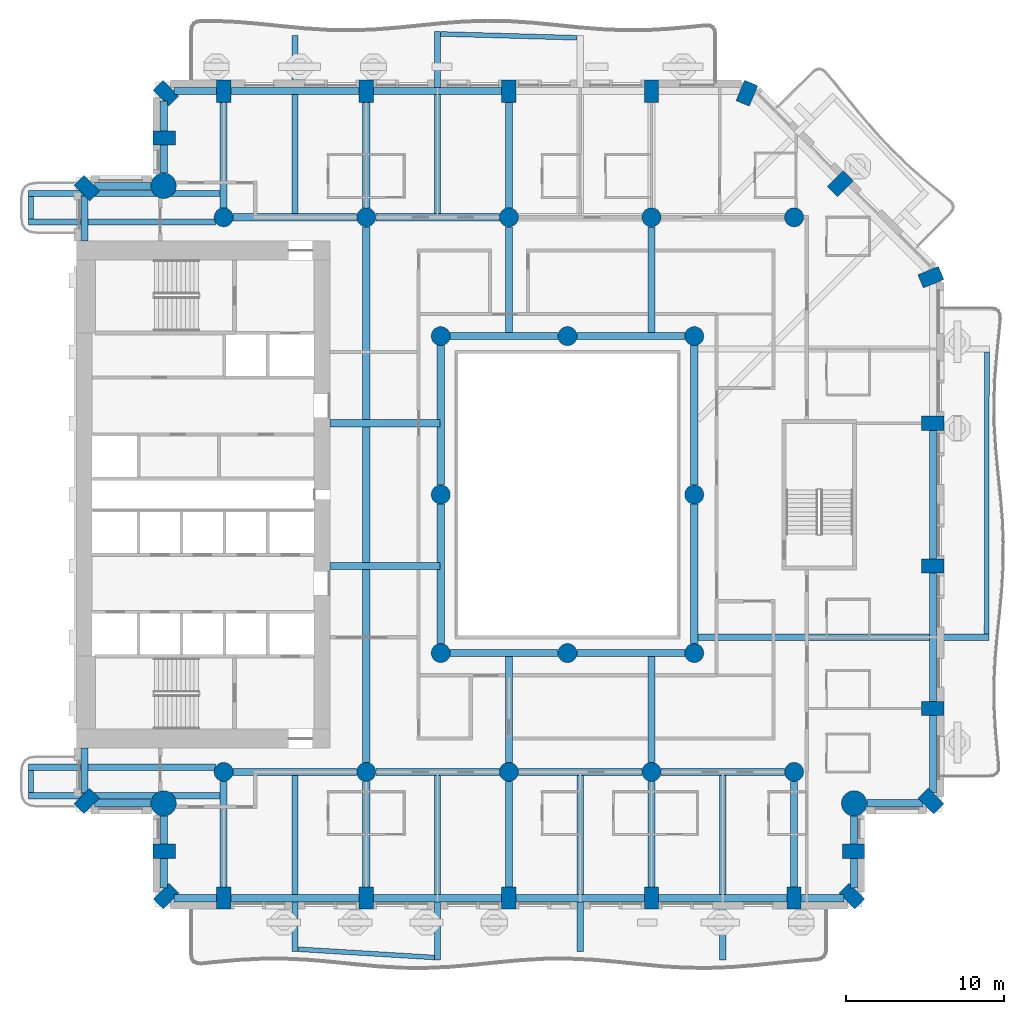
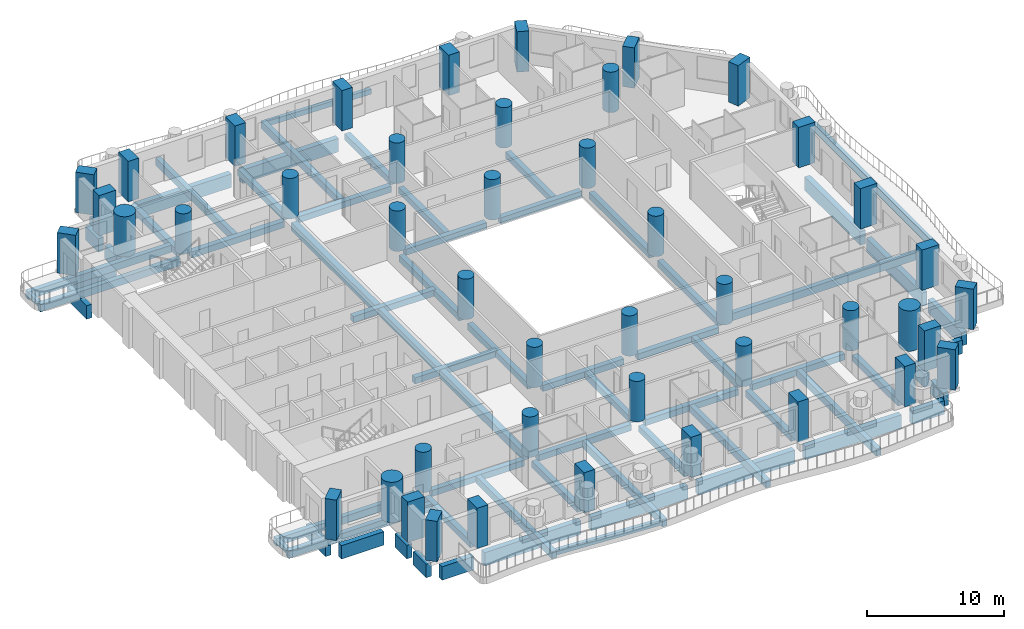
# One storey, part 1 of 20: 70 beams, 45 columns.
"""IFC4 building model written with IfcOpenShell, lengths in metres."""

from ifc_helpers import new_model, si_unit, direction, frame, origin, origin_2d, place, context, subcontext, project, spatial, rectangle, circle, extrude, material, material_profile, profile_set, type_object, element, save


model = new_model("IFC4")

# Units and contexts
model_context = context("Model", 3, precision=1e-05, world=origin(), true_north=direction((0.0, 1.0)))
body_context = subcontext(model_context, "Body", "Model", "MODEL_VIEW")
ifc_project = project(units=[si_unit("LENGTHUNIT", "METRE"), si_unit("AREAUNIT", "SQUARE_METRE"), si_unit("VOLUMEUNIT", "CUBIC_METRE"), si_unit("PLANEANGLEUNIT", "RADIAN"), si_unit("MASSUNIT", "GRAM", prefix="KILO")], contexts=[model_context])

# Site, building, storey
site_placement = place(None, origin())
site = spatial("IfcSite", under=ifc_project, at=site_placement, CompositionType="ELEMENT")
building_placement = place(site_placement, origin())
building = spatial("IfcBuilding", under=site, at=building_placement, Name="Cypress Arch Tower", CompositionType="ELEMENT")
storey_placement = place(building_placement, frame((0.0, 0.0, 59.10009765625)))
storey = spatial("IfcBuildingStorey", under=building, at=storey_placement, Name="L08", CompositionType="ELEMENT", Elevation=59.10009765625)

# Columns
ifc_material_1 = material(Name="Concrete C80/95", Category="concrete")
ifc_material_profile_1 = material_profile(ifc_material_1, rectangle(XDim=0.89990234375, YDim=1.39990234375, at=origin_2d()), Name="RC 900x1400")
ifc_profile_set_1 = profile_set([ifc_material_profile_1], Name="Concrete C80/95")
column_type_1 = type_object("IfcColumnType", Name="Column RC 900x1400 Concrete C80/95", PredefinedType="COLUMN", material=ifc_profile_set_1)
for number, where, z_axis, x_axis, name in (
    (1, (-29.3369140625, 19.3369140625, 0.0), (0.0, 0.0, 1.0), (-0.707106781187, -0.707106781187, 0.0), "Column L08 CA00"),
    (2, (-29.3369140625, -19.3369140625, 0.0), (0.0, 0.0, 1.0), (0.707106781187, -0.707106781187, 0.0), "Column L08 CA01"),
    (3, (-24.449951171875, -22.5, 0.0), (0.0, 0.0, 1.0), (0.0, -1.0, 0.0), "Column L08 CA03"),
    (4, (-24.3369140625, -25.3369140625, 0.0), (0.0, 0.0, 1.0), (0.707106781187, -0.707106781187, 0.0), "Column L08 CA04"),
    (5, (-20.699951171875, -25.449951171875, 0.0), (0.0, 0.0, 1.0), (1.0, 0.0, 0.0), "Column L08 CA05"),
    (6, (-11.699951171875, -25.449951171875, 0.0), (0.0, 0.0, 1.0), (1.0, 0.0, 0.0), "Column L08 CA06"),
    (7, (-2.699951171875, -25.449951171875, 0.0), (0.0, 0.0, 1.0), (1.0, 0.0, 0.0), "Column L08 CA07"),
    (8, (6.300048828125, -25.449951171875, 0.0), (0.0, 0.0, 1.0), (1.0, 0.0, 0.0), "Column L08 CA08"),
    (9, (15.300048828125, -25.449951171875, 0.0), (0.0, 0.0, 1.0), (1.0, 0.0, 0.0), "Column L08 CA09"),
    (10, (18.936767578125, -25.3369140625, 0.0), (0.0, 0.0, 1.0), (0.707106781187, 0.707106781187, 0.0), "Column L08 CA10"),
    (11, (19.050048828125, -22.5, 0.0), (0.0, 0.0, 1.0), (0.0, 1.0, 0.0), "Column L08 CA11"),
    (12, (23.936767578125, -19.3369140625, 0.0), (0.0, 0.0, 1.0), (0.707106781187, 0.707106781187, 0.0), "Column L08 CA13"),
    (13, (24.050048828125, -13.5, 0.0), (0.0, 0.0, 1.0), (0.0, 1.0, 0.0), "Column L08 CA14"),
    (14, (24.050048828125, -4.5, 0.0), (0.0, 0.0, 1.0), (0.0, 1.0, 0.0), "Column L08 CA15"),
    (15, (24.050048828125, 4.5, 0.0), (0.0, 0.0, 1.0), (0.0, 1.0, 0.0), "Column L08 CA16"),
    (16, (23.93115234375, 13.722900390625, 0.0), (0.0, 0.0, 1.0), (-0.382683496864, 0.923879505795, 0.0), "Column L08 CA17"),
    (17, (18.211181640625, 19.611083984375, 0.0), (0.0, 0.0, 1.0), (-0.707106781187, 0.707106781187, 0.0), "Column L08 CA18"),
    (18, (12.322998046875, 25.3310546875, 0.0), (0.0, 0.0, 1.0), (-0.923879505795, 0.382683496864, 0.0), "Column L08 CA19"),
    (19, (6.300048828125, 25.449951171875, 0.0), (0.0, 0.0, 1.0), (-1.0, 0.0, 0.0), "Column L08 CA20"),
    (20, (-2.699951171875, 25.449951171875, 0.0), (0.0, 0.0, 1.0), (-1.0, 0.0, 0.0), "Column L08 CA21"),
    (21, (-11.699951171875, 25.449951171875, 0.0), (0.0, 0.0, 1.0), (-1.0, 0.0, 0.0), "Column L08 CA22"),
    (22, (-20.699951171875, 25.449951171875, 0.0), (0.0, 0.0, 1.0), (-1.0, 0.0, 0.0), "Column L08 CA23"),
    (23, (-24.3369140625, 25.3369140625, 0.0), (0.0, 0.0, 1.0), (-0.707106781187, -0.707106781187, 0.0), "Column L08 CA24"),
    (24, (-24.449951171875, 22.5, 0.0), (0.0, 0.0, 1.0), (0.0, -1.0, 0.0), "Column L08 CA25"),
):
    element("IfcColumn", number, at=place(storey_placement, frame(where, z_axis=z_axis, x_axis=x_axis)), inside=storey, type_object=column_type_1, Name=name, PredefinedType="COLUMN", context=body_context, shape_type="SweptSolid", body=[
        extrude(rectangle(XDim=0.89990234375, YDim=1.39990234375, at=origin_2d()), origin(), (0.0, 0.0, 1.0), 3.599853515625),
    ])
ifc_material_2 = material(Name="Concrete C80/95", Category="concrete")
ifc_material_profile_2 = material_profile(ifc_material_2, circle(Radius=0.60009765625, at=origin_2d()), Name="RC D1200")
ifc_profile_set_2 = profile_set([ifc_material_profile_2], Name="Concrete C80/95")
column_type_2 = type_object("IfcColumnType", Name="Column RC D1200 Concrete C80/95", PredefinedType="COLUMN", material=ifc_profile_set_2)
for number, where, z_axis, x_axis, name in (
    (25, (-20.699951171875, -17.5, 0.0), (0.0, 0.0, 1.0), (1.0, 0.0, 0.0), "Column L08 CIC-L08-CI3S"),
    (26, (-11.699951171875, -17.5, 0.0), (0.0, 0.0, 1.0), (1.0, 0.0, 0.0), "Column L08 CIC-L08-CI4S"),
    (27, (-2.699951171875, -17.5, 0.0), (0.0, 0.0, 1.0), (1.0, 0.0, 0.0), "Column L08 CIC-L08-CI5S"),
    (28, (6.300048828125, -17.5, 0.0), (0.0, 0.0, 1.0), (1.0, 0.0, 0.0), "Column L08 CIC-L08-CI6S"),
    (29, (15.300048828125, -17.5, 0.0), (0.0, 0.0, 1.0), (1.0, 0.0, 0.0), "Column L08 CIC-L08-CI7S"),
    (30, (-20.699951171875, 17.5, 0.0), (0.0, 0.0, 1.0), (1.0, 0.0, 0.0), "Column L08 CIC-L08-CI3N"),
    (31, (-11.699951171875, 17.5, 0.0), (0.0, 0.0, 1.0), (1.0, 0.0, 0.0), "Column L08 CIC-L08-CI4N"),
    (32, (-2.699951171875, 17.5, 0.0), (0.0, 0.0, 1.0), (1.0, 0.0, 0.0), "Column L08 CIC-L08-CI5N"),
    (33, (6.300048828125, 17.5, 0.0), (0.0, 0.0, 1.0), (1.0, 0.0, 0.0), "Column L08 CIC-L08-CI6N"),
    (34, (15.300048828125, 17.5, 0.0), (0.0, 0.0, 1.0), (1.0, 0.0, 0.0), "Column L08 CIC-L08-CI7N"),
    (35, (-7.0, -10.0, 0.0), (0.0, 0.0, 1.0), (1.0, 0.0, 0.0), "Column L08 RNG-L08-G-7-10"),
    (36, (-7.0, 0.0, 0.0), (0.0, 0.0, 1.0), (1.0, 0.0, 0.0), "Column L08 RNG-L08-G-7+0"),
    (37, (-7.0, 10.0, 0.0), (0.0, 0.0, 1.0), (1.0, 0.0, 0.0), "Column L08 RNG-L08-G-7+10"),
    (38, (1.0, -10.0, 0.0), (0.0, 0.0, 1.0), (1.0, 0.0, 0.0), "Column L08 RNG-L08-G+1-10"),
    (39, (1.0, 10.0, 0.0), (0.0, 0.0, 1.0), (1.0, 0.0, 0.0), "Column L08 RNG-L08-G+1+10"),
    (40, (9.0, -10.0, 0.0), (0.0, 0.0, 1.0), (1.0, 0.0, 0.0), "Column L08 RNG-L08-G+9-10"),
    (41, (9.0, 0.0, 0.0), (0.0, 0.0, 1.0), (1.0, 0.0, 0.0), "Column L08 RNG-L08-G+9+0"),
    (42, (9.0, 10.0, 0.0), (0.0, 0.0, 1.0), (1.0, 0.0, 0.0), "Column L08 RNG-L08-G+9+10"),
):
    element("IfcColumn", number, at=place(storey_placement, frame(where, z_axis=z_axis, x_axis=x_axis)), inside=storey, type_object=column_type_2, Name=name, PredefinedType="COLUMN", context=body_context, shape_type="SweptSolid", body=[
        extrude(circle(Radius=0.60009765625, at=origin_2d()), origin(), (0.0, 0.0, 1.0), 3.599853515625),
    ])
ifc_material_3 = material(Name="Concrete C80/95", Category="concrete")
ifc_material_profile_3 = material_profile(ifc_material_3, circle(Radius=0.800048828125, at=origin_2d()), Name="RC D1600")
ifc_profile_set_3 = profile_set([ifc_material_profile_3], Name="Concrete C80/95")
column_type_3 = type_object("IfcColumnType", Name="Mega-column RC D1600 Concrete C80/95", PredefinedType="COLUMN", material=ifc_profile_set_3)
for number, where, z_axis, x_axis, name in (
    (43, (-24.48779296875, -19.48779296875, 0.0), (0.0, 0.0, 1.0), (1.0, 0.0, 0.0), "Column L08 CA02"),
    (44, (19.087890625, -19.48779296875, 0.0), (0.0, 0.0, 1.0), (1.0, 0.0, 0.0), "Column L08 CA12"),
    (45, (-24.48779296875, 19.48779296875, 0.0), (0.0, 0.0, 1.0), (1.0, 0.0, 0.0), "Column L08 CA26"),
):
    element("IfcColumn", number, at=place(storey_placement, frame(where, z_axis=z_axis, x_axis=x_axis)), inside=storey, type_object=column_type_3, Name=name, PredefinedType="COLUMN", context=body_context, shape_type="SweptSolid", body=[
        extrude(circle(Radius=0.800048828125, at=origin_2d()), origin(), (0.0, 0.0, 1.0), 3.599853515625),
    ])

# Beams
ifc_material_4 = material(Name="Concrete C50/60", Category="concrete")
ifc_material_profile_4 = material_profile(ifc_material_4, rectangle(XDim=0.300048828125, YDim=0.449951171875, at=origin_2d()), Name="RC 300x450")
ifc_profile_set_4 = profile_set([ifc_material_profile_4], Name="Concrete C50/60")
beam_type_1 = type_object("IfcBeamType", Name="Balcony edge beam RC 300x450 Concrete C50/60", PredefinedType="BEAM", material=ifc_profile_set_4)
beam_1_placement = place(storey_placement, frame((-16.0, -28.68896484375, -0.525146484375), z_axis=(0.998164917235, -0.060554091527, 0.0), x_axis=(0.060554091527, 0.998164917235, 0.0)))
element("IfcBeam", 46, at=beam_1_placement, inside=storey, type_object=beam_type_1, Name="Balcony edge beam L08 A03", PredefinedType="BEAM", context=body_context, shape_type="SweptSolid", body=[
    extrude(rectangle(XDim=0.300048828125, YDim=0.449951171875, at=origin_2d()), origin(), (0.0, 0.0, 1.0), 8.615966796875),
])
beam_2_placement = place(storey_placement, frame((1.60009765625, 28.8291015625, -0.525146484375), z_axis=(-0.999607696641, 0.02800808484, 0.0), x_axis=(-0.02800808484, -0.999607696641, 0.0)))
element("IfcBeam", 47, at=beam_2_placement, inside=storey, type_object=beam_type_1, Name="Balcony edge beam L08 A08", PredefinedType="BEAM", context=body_context, shape_type="SweptSolid", body=[
    extrude(rectangle(XDim=0.300048828125, YDim=0.449951171875, at=origin_2d()), origin(), (0.0, 0.0, 1.0), 8.603515625),
])
ifc_material_5 = material(Name="Concrete C50/60", Category="concrete")
ifc_material_profile_5 = material_profile(ifc_material_5, rectangle(XDim=0.300048828125, YDim=0.64990234375, at=origin_2d()), Name="RC 300x650")
ifc_profile_set_5 = profile_set([ifc_material_profile_5], Name="Concrete C50/60")
beam_type_2 = type_object("IfcBeamType", Name="Balcony edge beam RC 300x650 Concrete C50/60", PredefinedType="BEAM", material=ifc_profile_set_5)
beam_3_placement = place(storey_placement, frame((27.448486328125, -8.800048828125, -0.625), z_axis=(0.001070560333, 0.99999942695, 0.0), x_axis=(-0.99999942695, 0.001070560333, 0.0)))
element("IfcBeam", 48, at=beam_3_placement, inside=storey, type_object=beam_type_2, Name="Balcony edge beam L08 A06", PredefinedType="BEAM", context=body_context, shape_type="SweptSolid", body=[
    extrude(rectangle(XDim=0.300048828125, YDim=0.64990234375, at=origin_2d()), origin(), (0.0, 0.0, 1.0), 17.787841796875),
])
ifc_material_6 = material(Name="Concrete C50/60", Category="concrete")
ifc_material_profile_6 = material_profile(ifc_material_6, rectangle(XDim=0.300048828125, YDim=0.39990234375, at=origin_2d()), Name="RC 300x400")
ifc_profile_set_6 = profile_set([ifc_material_profile_6], Name="Concrete C50/60")
beam_type_3 = type_object("IfcBeamType", Name="Balcony stub beam RC 300x400 Concrete C50/60", PredefinedType="BEAM", material=ifc_profile_set_6)
for number, where, z_axis, x_axis, name in (
    (49, (-32.85009765625, 18.800048828125, -0.5), (0.0, -1.0, 0.0), (1.0, 0.0, 0.0), "Balcony stub beam L08 A00W0"),
    (50, (-32.85009765625, -17.39990234375, -0.5), (0.0, -1.0, 0.0), (1.0, 0.0, 0.0), "Balcony stub beam L08 A00W1"),
):
    element("IfcBeam", number, at=place(storey_placement, frame(where, z_axis=z_axis, x_axis=x_axis)), inside=storey, type_object=beam_type_3, Name=name, PredefinedType="BEAM", context=body_context, shape_type="SweptSolid", body=[
        extrude(rectangle(XDim=0.300048828125, YDim=0.39990234375, at=origin_2d()), origin(), (0.0, 0.0, 1.0), 1.400146484375),
    ])
ifc_material_7 = material(Name="Concrete C50/60", Category="concrete")
ifc_material_profile_7 = material_profile(ifc_material_7, rectangle(XDim=0.39990234375, YDim=0.64990234375, at=origin_2d()), Name="RC 400x650")
ifc_profile_set_7 = profile_set([ifc_material_profile_7], Name="Concrete C50/60")
beam_type_4 = type_object("IfcBeamType", Name="Cantilever beam RC 400x650 Concrete C50/60", PredefinedType="BEAM", material=ifc_profile_set_7)
beam_4_placement = place(storey_placement, frame((-20.925048828125, 19.0, -0.625), z_axis=(-1.0, 0.0, 0.0), x_axis=(0.0, -1.0, 0.0)))
element("IfcBeam", 51, at=beam_4_placement, inside=storey, type_object=beam_type_4, Name="Cantilever beam L08 A00 1", PredefinedType="BEAM", context=body_context, shape_type="SweptSolid", body=[
    extrude(rectangle(XDim=0.39990234375, YDim=0.64990234375, at=origin_2d()), origin(), (0.0, 0.0, 1.0), 12.074951171875),
])
for number, where, z_axis, x_axis, name in (
    (52, (-21.219482421875, 17.199951171875, -0.625), (-1.0, 0.0, 0.0), (0.0, -1.0, 0.0), "Cantilever beam L08 A00 2"),
    (53, (-21.219482421875, -17.199951171875, -0.625), (-1.0, 0.0, 0.0), (0.0, -1.0, 0.0), "Cantilever beam L08 A00 1"),
):
    element("IfcBeam", number, at=place(storey_placement, frame(where, z_axis=z_axis, x_axis=x_axis)), inside=storey, type_object=beam_type_4, Name=name, PredefinedType="BEAM", context=body_context, shape_type="SweptSolid", body=[
        extrude(rectangle(XDim=0.39990234375, YDim=0.64990234375, at=origin_2d()), origin(), (0.0, 0.0, 1.0), 11.780517578125),
    ])
beam_5_placement = place(storey_placement, frame((-20.925048828125, -19.0, -0.625), z_axis=(-1.0, 0.0, 0.0), x_axis=(0.0, -1.0, 0.0)))
element("IfcBeam", 54, at=beam_5_placement, inside=storey, type_object=beam_type_4, Name="Cantilever beam L08 A00 2", PredefinedType="BEAM", context=body_context, shape_type="SweptSolid", body=[
    extrude(rectangle(XDim=0.39990234375, YDim=0.64990234375, at=origin_2d()), origin(), (0.0, 0.0, 1.0), 12.074951171875),
])
beam_6_placement = place(storey_placement, frame((-16.199951171875, -17.72509765625, -0.625), z_axis=(0.0, -1.0, 0.0), x_axis=(1.0, 0.0, 0.0)))
element("IfcBeam", 55, at=beam_6_placement, inside=storey, type_object=beam_type_4, Name="Cantilever beam L08 A03 1", PredefinedType="BEAM", context=body_context, shape_type="SweptSolid", body=[
    extrude(rectangle(XDim=0.39990234375, YDim=0.64990234375, at=origin_2d()), origin(), (0.0, 0.0, 1.0), 11.11376953125),
])
beam_7_placement = place(storey_placement, frame((-7.199951171875, -17.72509765625, -0.625), z_axis=(0.0, -1.0, 0.0), x_axis=(1.0, 0.0, 0.0)))
element("IfcBeam", 56, at=beam_7_placement, inside=storey, type_object=beam_type_4, Name="Cantilever beam L08 A03 2", PredefinedType="BEAM", context=body_context, shape_type="SweptSolid", body=[
    extrude(rectangle(XDim=0.39990234375, YDim=0.64990234375, at=origin_2d()), origin(), (0.0, 0.0, 1.0), 11.635498046875),
])
beam_8_placement = place(storey_placement, frame((1.800048828125, -17.72509765625, -0.625), z_axis=(0.0, -1.0, 0.0), x_axis=(1.0, 0.0, 0.0)))
element("IfcBeam", 57, at=beam_8_placement, inside=storey, type_object=beam_type_4, Name="Cantilever beam L08 A03 3", PredefinedType="BEAM", context=body_context, shape_type="SweptSolid", body=[
    extrude(rectangle(XDim=0.39990234375, YDim=0.64990234375, at=origin_2d()), origin(), (0.0, 0.0, 1.0), 11.1142578125),
])
beam_9_placement = place(storey_placement, frame((10.800048828125, -17.72509765625, -0.625), z_axis=(0.0, -1.0, 0.0), x_axis=(1.0, 0.0, 0.0)))
element("IfcBeam", 58, at=beam_9_placement, inside=storey, type_object=beam_type_4, Name="Cantilever beam L08 A03 4", PredefinedType="BEAM", context=body_context, shape_type="SweptSolid", body=[
    extrude(rectangle(XDim=0.39990234375, YDim=0.64990234375, at=origin_2d()), origin(), (0.0, 0.0, 1.0), 11.6357421875),
])
beam_10_placement = place(storey_placement, frame((9.22509765625, -9.0, -0.625), z_axis=(1.0, 0.0, 0.0), x_axis=(0.0, 1.0, 0.0)))
element("IfcBeam", 59, at=beam_10_placement, inside=storey, type_object=beam_type_4, Name="Cantilever beam L08 A06 1", PredefinedType="BEAM", context=body_context, shape_type="SweptSolid", body=[
    extrude(rectangle(XDim=0.39990234375, YDim=0.64990234375, at=origin_2d()), origin(), (0.0, 0.0, 1.0), 18.37353515625),
])
beam_11_placement = place(storey_placement, frame((-7.199951171875, 17.72509765625, -0.625), z_axis=(0.0, 1.0, 0.0), x_axis=(-1.0, 0.0, 0.0)))
element("IfcBeam", 60, at=beam_11_placement, inside=storey, type_object=beam_type_4, Name="Cantilever beam L08 A08 2", PredefinedType="BEAM", context=body_context, shape_type="SweptSolid", body=[
    extrude(rectangle(XDim=0.39990234375, YDim=0.64990234375, at=origin_2d()), origin(), (0.0, 0.0, 1.0), 11.4951171875),
])
beam_12_placement = place(storey_placement, frame((-16.199951171875, 17.72509765625, -0.625), z_axis=(0.0, 1.0, 0.0), x_axis=(-1.0, 0.0, 0.0)))
element("IfcBeam", 61, at=beam_12_placement, inside=storey, type_object=beam_type_4, Name="Cantilever beam L08 A08 3", PredefinedType="BEAM", context=body_context, shape_type="SweptSolid", body=[
    extrude(rectangle(XDim=0.39990234375, YDim=0.64990234375, at=origin_2d()), origin(), (0.0, 0.0, 1.0), 11.256591796875),
])
ifc_material_8 = material(Name="Concrete C50/60", Category="concrete")
ifc_material_profile_8 = material_profile(ifc_material_8, rectangle(XDim=0.449951171875, YDim=0.550048828125, at=origin_2d()), Name="RC 450x550")
ifc_profile_set_8 = profile_set([ifc_material_profile_8], Name="Concrete C50/60")
beam_type_5 = type_object("IfcBeamType", Name="Floor beam RC 450x550 Concrete C50/60", PredefinedType="BEAM", material=ifc_profile_set_8)
for number, where, z_axis, x_axis, name in (
    (62, (-7.0, -9.39990234375, -0.5751953125), (0.0, 1.0, 0.0), (-1.0, 0.0, 0.0), "Floor beam L08 RB001"),
    (63, (-7.0, 0.60009765625, -0.5751953125), (0.0, 1.0, 0.0), (-1.0, 0.0, 0.0), "Floor beam L08 RB002"),
    (64, (9.0, -9.39990234375, -0.5751953125), (0.0, 1.0, 0.0), (-1.0, 0.0, 0.0), "Floor beam L08 RB003"),
    (65, (9.0, 0.60009765625, -0.5751953125), (0.0, 1.0, 0.0), (-1.0, 0.0, 0.0), "Floor beam L08 RB004"),
):
    element("IfcBeam", number, at=place(storey_placement, frame(where, z_axis=z_axis, x_axis=x_axis)), inside=storey, type_object=beam_type_5, Name=name, PredefinedType="BEAM", context=body_context, shape_type="SweptSolid", body=[
        extrude(rectangle(XDim=0.449951171875, YDim=0.550048828125, at=origin_2d()), origin(), (0.0, 0.0, 1.0), 8.7998046875),
    ])
for number, where, z_axis, x_axis, name in (
    (66, (-6.39990234375, -10.0, -0.5751953125), (1.0, 0.0, 0.0), (0.0, 1.0, 0.0), "Floor beam L08 RB005"),
    (67, (1.60009765625, -10.0, -0.5751953125), (1.0, 0.0, 0.0), (0.0, 1.0, 0.0), "Floor beam L08 RB006"),
    (68, (-6.39990234375, 10.0, -0.5751953125), (1.0, 0.0, 0.0), (0.0, 1.0, 0.0), "Floor beam L08 RB007"),
    (69, (1.60009765625, 10.0, -0.5751953125), (1.0, 0.0, 0.0), (0.0, 1.0, 0.0), "Floor beam L08 RB008"),
):
    element("IfcBeam", number, at=place(storey_placement, frame(where, z_axis=z_axis, x_axis=x_axis)), inside=storey, type_object=beam_type_5, Name=name, PredefinedType="BEAM", context=body_context, shape_type="SweptSolid", body=[
        extrude(rectangle(XDim=0.449951171875, YDim=0.550048828125, at=origin_2d()), origin(), (0.0, 0.0, 1.0), 6.7998046875),
    ])
for number, where, z_axis, x_axis, name in (
    (70, (-20.10009765625, -17.5, -0.5751953125), (1.0, 0.0, 0.0), (0.0, 1.0, 0.0), "Floor beam L08 FB009"),
    (71, (-11.10009765625, -17.5, -0.5751953125), (1.0, 0.0, 0.0), (0.0, 1.0, 0.0), "Floor beam L08 FB010"),
    (72, (-2.10009765625, -17.5, -0.5751953125), (1.0, 0.0, 0.0), (0.0, 1.0, 0.0), "Floor beam L08 FB011"),
    (73, (6.89990234375, -17.5, -0.5751953125), (1.0, 0.0, 0.0), (0.0, 1.0, 0.0), "Floor beam L08 FB012"),
):
    element("IfcBeam", number, at=place(storey_placement, frame(where, z_axis=z_axis, x_axis=x_axis)), inside=storey, type_object=beam_type_5, Name=name, PredefinedType="BEAM", context=body_context, shape_type="SweptSolid", body=[
        extrude(rectangle(XDim=0.449951171875, YDim=0.550048828125, at=origin_2d()), origin(), (0.0, 0.0, 1.0), 7.800048828125),
    ])
for number, where, z_axis, x_axis, name in (
    (74, (-14.0, -4.5, -0.5751953125), (1.0, 0.0, 0.0), (0.0, 1.0, 0.0), "Floor beam L08 FB013"),
    (75, (-14.0, 4.5, -0.5751953125), (1.0, 0.0, 0.0), (0.0, 1.0, 0.0), "Floor beam L08 FB014"),
):
    element("IfcBeam", number, at=place(storey_placement, frame(where, z_axis=z_axis, x_axis=x_axis)), inside=storey, type_object=beam_type_5, Name=name, PredefinedType="BEAM", context=body_context, shape_type="SweptSolid", body=[
        extrude(rectangle(XDim=0.449951171875, YDim=0.550048828125, at=origin_2d()), origin(), (0.0, 0.0, 1.0), 6.949951171875),
    ])
for number, where, z_axis, x_axis, name in (
    (76, (-20.10009765625, 17.5, -0.5751953125), (1.0, 0.0, 0.0), (0.0, 1.0, 0.0), "Floor beam L08 FB015"),
    (77, (-11.10009765625, 17.5, -0.5751953125), (1.0, 0.0, 0.0), (0.0, 1.0, 0.0), "Floor beam L08 FB016"),
):
    element("IfcBeam", number, at=place(storey_placement, frame(where, z_axis=z_axis, x_axis=x_axis)), inside=storey, type_object=beam_type_5, Name=name, PredefinedType="BEAM", context=body_context, shape_type="SweptSolid", body=[
        extrude(rectangle(XDim=0.449951171875, YDim=0.550048828125, at=origin_2d()), origin(), (0.0, 0.0, 1.0), 7.800048828125),
    ])
for number, where, z_axis, x_axis, name in (
    (78, (-20.699951171875, -24.75, -0.5751953125), (0.0, 1.0, 0.0), (-1.0, 0.0, 0.0), "Floor beam L08 FB019"),
    (79, (-20.699951171875, 18.10009765625, -0.5751953125), (0.0, 1.0, 0.0), (-1.0, 0.0, 0.0), "Floor beam L08 FB020"),
    (80, (-11.699951171875, -24.75, -0.5751953125), (0.0, 1.0, 0.0), (-1.0, 0.0, 0.0), "Floor beam L08 FB021"),
):
    element("IfcBeam", number, at=place(storey_placement, frame(where, z_axis=z_axis, x_axis=x_axis)), inside=storey, type_object=beam_type_5, Name=name, PredefinedType="BEAM", context=body_context, shape_type="SweptSolid", body=[
        extrude(rectangle(XDim=0.449951171875, YDim=0.550048828125, at=origin_2d()), origin(), (0.0, 0.0, 1.0), 6.64990234375),
    ])
beam_13_placement = place(storey_placement, frame((-11.699951171875, -4.27490234375, -0.5751953125), z_axis=(0.0, 1.0, 0.0), x_axis=(-1.0, 0.0, 0.0)))
element("IfcBeam", 81, at=beam_13_placement, inside=storey, type_object=beam_type_5, Name="Floor beam L08 FB023", PredefinedType="BEAM", context=body_context, shape_type="SweptSolid", body=[
    extrude(rectangle(XDim=0.449951171875, YDim=0.550048828125, at=origin_2d()), origin(), (0.0, 0.0, 1.0), 8.5498046875),
])
for number, where, z_axis, x_axis, name in (
    (82, (-11.699951171875, 18.10009765625, -0.5751953125), (0.0, 1.0, 0.0), (-1.0, 0.0, 0.0), "Floor beam L08 FB025"),
    (83, (-2.699951171875, -24.75, -0.5751953125), (0.0, 1.0, 0.0), (-1.0, 0.0, 0.0), "Floor beam L08 FB026"),
):
    element("IfcBeam", number, at=place(storey_placement, frame(where, z_axis=z_axis, x_axis=x_axis)), inside=storey, type_object=beam_type_5, Name=name, PredefinedType="BEAM", context=body_context, shape_type="SweptSolid", body=[
        extrude(rectangle(XDim=0.449951171875, YDim=0.550048828125, at=origin_2d()), origin(), (0.0, 0.0, 1.0), 6.64990234375),
    ])
for number, where, z_axis, x_axis, name in (
    (84, (-2.699951171875, -16.89990234375, -0.5751953125), (0.0, 1.0, 0.0), (-1.0, 0.0, 0.0), "Floor beam L08 FB027"),
    (85, (-2.699951171875, 10.22509765625, -0.5751953125), (0.0, 1.0, 0.0), (-1.0, 0.0, 0.0), "Floor beam L08 FB028"),
):
    element("IfcBeam", number, at=place(storey_placement, frame(where, z_axis=z_axis, x_axis=x_axis)), inside=storey, type_object=beam_type_5, Name=name, PredefinedType="BEAM", context=body_context, shape_type="SweptSolid", body=[
        extrude(rectangle(XDim=0.449951171875, YDim=0.550048828125, at=origin_2d()), origin(), (0.0, 0.0, 1.0), 6.6748046875),
    ])
for number, where, z_axis, x_axis, name in (
    (86, (-2.699951171875, 18.10009765625, -0.5751953125), (0.0, 1.0, 0.0), (-1.0, 0.0, 0.0), "Floor beam L08 FB029"),
    (87, (6.300048828125, -24.75, -0.5751953125), (0.0, 1.0, 0.0), (-1.0, 0.0, 0.0), "Floor beam L08 FB030"),
):
    element("IfcBeam", number, at=place(storey_placement, frame(where, z_axis=z_axis, x_axis=x_axis)), inside=storey, type_object=beam_type_5, Name=name, PredefinedType="BEAM", context=body_context, shape_type="SweptSolid", body=[
        extrude(rectangle(XDim=0.449951171875, YDim=0.550048828125, at=origin_2d()), origin(), (0.0, 0.0, 1.0), 6.64990234375),
    ])
for number, where, z_axis, x_axis, name in (
    (88, (6.300048828125, -16.89990234375, -0.5751953125), (0.0, 1.0, 0.0), (-1.0, 0.0, 0.0), "Floor beam L08 FB031"),
    (89, (6.300048828125, 10.22509765625, -0.5751953125), (0.0, 1.0, 0.0), (-1.0, 0.0, 0.0), "Floor beam L08 FB032"),
):
    element("IfcBeam", number, at=place(storey_placement, frame(where, z_axis=z_axis, x_axis=x_axis)), inside=storey, type_object=beam_type_5, Name=name, PredefinedType="BEAM", context=body_context, shape_type="SweptSolid", body=[
        extrude(rectangle(XDim=0.449951171875, YDim=0.550048828125, at=origin_2d()), origin(), (0.0, 0.0, 1.0), 6.6748046875),
    ])
beam_14_placement = place(storey_placement, frame((15.300048828125, -24.75, -0.5751953125), z_axis=(0.0, 1.0, 0.0), x_axis=(-1.0, 0.0, 0.0)))
element("IfcBeam", 90, at=beam_14_placement, inside=storey, type_object=beam_type_5, Name="Floor beam L08 FB034", PredefinedType="BEAM", context=body_context, shape_type="SweptSolid", body=[
    extrude(rectangle(XDim=0.449951171875, YDim=0.550048828125, at=origin_2d()), origin(), (0.0, 0.0, 1.0), 6.64990234375),
])
ifc_material_9 = material(Name="Concrete C50/60", Category="concrete")
ifc_material_profile_9 = material_profile(ifc_material_9, rectangle(XDim=0.5, YDim=0.699951171875, at=origin_2d()), Name="RC 500x700")
ifc_profile_set_9 = profile_set([ifc_material_profile_9], Name="Concrete C50/60")
beam_type_6 = type_object("IfcBeamType", Name="Floor beam RC 500x700 Concrete C50/60", PredefinedType="BEAM", material=ifc_profile_set_9)
for number, where, z_axis, x_axis, name in (
    (91, (-11.699951171875, -16.89990234375, -0.650146484375), (0.0, 1.0, 0.0), (-1.0, 0.0, 0.0), "Floor beam L08 FB022"),
    (92, (-11.699951171875, 4.72509765625, -0.650146484375), (0.0, 1.0, 0.0), (-1.0, 0.0, 0.0), "Floor beam L08 FB024"),
):
    element("IfcBeam", number, at=place(storey_placement, frame(where, z_axis=z_axis, x_axis=x_axis)), inside=storey, type_object=beam_type_6, Name=name, PredefinedType="BEAM", context=body_context, shape_type="SweptSolid", body=[
        extrude(rectangle(XDim=0.5, YDim=0.699951171875, at=origin_2d()), origin(), (0.0, 0.0, 1.0), 12.1748046875),
    ])
ifc_material_10 = material(Name="Concrete C50/60", Category="concrete")
ifc_material_profile_10 = material_profile(ifc_material_10, rectangle(XDim=0.449951171875, YDim=1.199951171875, at=origin_2d()), Name="RC 450x1200")
ifc_profile_set_10 = profile_set([ifc_material_profile_10], Name="Concrete C50/60")
beam_type_7 = type_object("IfcBeamType", Name="Spandrel beam RC 450x1200 Concrete C50/60", PredefinedType="SPANDREL", material=ifc_profile_set_10)
for number, where, z_axis, x_axis, name in (
    (93, (-29.47509765625, 18.838623046875, -1.550048828125), (0.0, -1.0, 0.0), (1.0, 0.0, 0.0), "Spandrel beam L08 BA00-0"),
    (94, (-29.47509765625, -16.0, -1.550048828125), (0.0, -1.0, 0.0), (1.0, 0.0, 0.0), "Spandrel beam L08 BA00-0"),
):
    element("IfcBeam", number, at=place(storey_placement, frame(where, z_axis=z_axis, x_axis=x_axis)), inside=storey, type_object=beam_type_7, Name=name, PredefinedType="SPANDREL", context=body_context, shape_type="SweptSolid", body=[
        extrude(rectangle(XDim=0.449951171875, YDim=1.199951171875, at=origin_2d()), origin(), (0.0, 0.0, 1.0), 2.838623046875),
    ])
beam_15_placement = place(storey_placement, frame((-28.838623046875, -19.47509765625, -1.550048828125), z_axis=(1.0, 0.0, 0.0), x_axis=(0.0, 1.0, 0.0)))
element("IfcBeam", 95, at=beam_15_placement, inside=storey, type_object=beam_type_7, Name="Spandrel beam L08 BA01-0", PredefinedType="SPANDREL", context=body_context, shape_type="SweptSolid", body=[
    extrude(rectangle(XDim=0.449951171875, YDim=1.199951171875, at=origin_2d()), origin(), (0.0, 0.0, 1.0), 3.551025390625),
])
beam_16_placement = place(storey_placement, frame((-24.47509765625, -20.28759765625, -1.550048828125), z_axis=(0.0, -1.0, 0.0), x_axis=(1.0, 0.0, 0.0)))
element("IfcBeam", 96, at=beam_16_placement, inside=storey, type_object=beam_type_7, Name="Spandrel beam L08 BA02-0", PredefinedType="SPANDREL", context=body_context, shape_type="SweptSolid", body=[
    extrude(rectangle(XDim=0.449951171875, YDim=1.199951171875, at=origin_2d()), origin(), (0.0, 0.0, 1.0), 1.762451171875),
])
beam_17_placement = place(storey_placement, frame((-24.47509765625, -22.949951171875, -1.550048828125), z_axis=(0.0, -1.0, 0.0), x_axis=(1.0, 0.0, 0.0)))
element("IfcBeam", 97, at=beam_17_placement, inside=storey, type_object=beam_type_7, Name="Spandrel beam L08 BA02-1", PredefinedType="SPANDREL", context=body_context, shape_type="SweptSolid", body=[
    extrude(rectangle(XDim=0.449951171875, YDim=1.199951171875, at=origin_2d()), origin(), (0.0, 0.0, 1.0), 1.888671875),
])
beam_18_placement = place(storey_placement, frame((-23.838623046875, -25.47509765625, -1.550048828125), z_axis=(1.0, 0.0, 0.0), x_axis=(0.0, 1.0, 0.0)))
element("IfcBeam", 98, at=beam_18_placement, inside=storey, type_object=beam_type_7, Name="Spandrel beam L08 BA03-0", PredefinedType="SPANDREL", context=body_context, shape_type="SweptSolid", body=[
    extrude(rectangle(XDim=0.449951171875, YDim=1.199951171875, at=origin_2d()), origin(), (0.0, 0.0, 1.0), 2.688720703125),
])
for number, where, z_axis, x_axis, name in (
    (99, (-20.25, -25.47509765625, -1.550048828125), (1.0, 0.0, 0.0), (0.0, 1.0, 0.0), "Spandrel beam L08 BA03-1"),
    (100, (-11.25, -25.47509765625, -1.550048828125), (1.0, 0.0, 0.0), (0.0, 1.0, 0.0), "Spandrel beam L08 BA03-2"),
    (101, (-2.25, -25.47509765625, -1.550048828125), (1.0, 0.0, 0.0), (0.0, 1.0, 0.0), "Spandrel beam L08 BA03-3"),
    (102, (6.75, -25.47509765625, -1.550048828125), (1.0, 0.0, 0.0), (0.0, 1.0, 0.0), "Spandrel beam L08 BA03-4"),
):
    element("IfcBeam", number, at=place(storey_placement, frame(where, z_axis=z_axis, x_axis=x_axis)), inside=storey, type_object=beam_type_7, Name=name, PredefinedType="SPANDREL", context=body_context, shape_type="SweptSolid", body=[
        extrude(rectangle(XDim=0.449951171875, YDim=1.199951171875, at=origin_2d()), origin(), (0.0, 0.0, 1.0), 8.10009765625),
    ])
beam_19_placement = place(storey_placement, frame((15.75, -25.47509765625, -1.550048828125), z_axis=(1.0, 0.0, 0.0), x_axis=(0.0, 1.0, 0.0)))
element("IfcBeam", 103, at=beam_19_placement, inside=storey, type_object=beam_type_7, Name="Spandrel beam L08 BA03-5", PredefinedType="SPANDREL", context=body_context, shape_type="SweptSolid", body=[
    extrude(rectangle(XDim=0.449951171875, YDim=1.199951171875, at=origin_2d()), origin(), (0.0, 0.0, 1.0), 2.688720703125),
])
beam_20_placement = place(storey_placement, frame((19.074951171875, -24.838623046875, -1.550048828125), z_axis=(0.0, 1.0, 0.0), x_axis=(-1.0, 0.0, 0.0)))
element("IfcBeam", 104, at=beam_20_placement, inside=storey, type_object=beam_type_7, Name="Spandrel beam L08 BA04-0", PredefinedType="SPANDREL", context=body_context, shape_type="SweptSolid", body=[
    extrude(rectangle(XDim=0.449951171875, YDim=1.199951171875, at=origin_2d()), origin(), (0.0, 0.0, 1.0), 1.888671875),
])
beam_21_placement = place(storey_placement, frame((19.074951171875, -22.050048828125, -1.550048828125), z_axis=(0.0, 1.0, 0.0), x_axis=(-1.0, 0.0, 0.0)))
element("IfcBeam", 105, at=beam_21_placement, inside=storey, type_object=beam_type_7, Name="Spandrel beam L08 BA04-1", PredefinedType="SPANDREL", context=body_context, shape_type="SweptSolid", body=[
    extrude(rectangle(XDim=0.449951171875, YDim=1.199951171875, at=origin_2d()), origin(), (0.0, 0.0, 1.0), 1.762451171875),
])
beam_22_placement = place(storey_placement, frame((19.887451171875, -19.47509765625, -1.550048828125), z_axis=(1.0, 0.0, 0.0), x_axis=(0.0, 1.0, 0.0)))
element("IfcBeam", 106, at=beam_22_placement, inside=storey, type_object=beam_type_7, Name="Spandrel beam L08 BA05-0", PredefinedType="SPANDREL", context=body_context, shape_type="SweptSolid", body=[
    extrude(rectangle(XDim=0.449951171875, YDim=1.199951171875, at=origin_2d()), origin(), (0.0, 0.0, 1.0), 3.55126953125),
])
beam_23_placement = place(storey_placement, frame((24.074951171875, -18.838623046875, -1.550048828125), z_axis=(0.0, 1.0, 0.0), x_axis=(-1.0, 0.0, 0.0)))
element("IfcBeam", 107, at=beam_23_placement, inside=storey, type_object=beam_type_7, Name="Spandrel beam L08 BA06-0", PredefinedType="SPANDREL", context=body_context, shape_type="SweptSolid", body=[
    extrude(rectangle(XDim=0.449951171875, YDim=1.199951171875, at=origin_2d()), origin(), (0.0, 0.0, 1.0), 4.888671875),
])
for number, where, z_axis, x_axis, name in (
    (108, (24.074951171875, -13.050048828125, -1.550048828125), (0.0, 1.0, 0.0), (-1.0, 0.0, 0.0), "Spandrel beam L08 BA06-1"),
    (109, (24.074951171875, -4.050048828125, -1.550048828125), (0.0, 1.0, 0.0), (-1.0, 0.0, 0.0), "Spandrel beam L08 BA06-2"),
    (110, (-3.14990234375, 25.47509765625, -1.550048828125), (-1.0, 0.0, 0.0), (0.0, -1.0, 0.0), "Spandrel beam L08 BA08-2"),
    (111, (-12.14990234375, 25.47509765625, -1.550048828125), (-1.0, 0.0, 0.0), (0.0, -1.0, 0.0), "Spandrel beam L08 BA08-3"),
):
    element("IfcBeam", number, at=place(storey_placement, frame(where, z_axis=z_axis, x_axis=x_axis)), inside=storey, type_object=beam_type_7, Name=name, PredefinedType="SPANDREL", context=body_context, shape_type="SweptSolid", body=[
        extrude(rectangle(XDim=0.449951171875, YDim=1.199951171875, at=origin_2d()), origin(), (0.0, 0.0, 1.0), 8.10009765625),
    ])
beam_24_placement = place(storey_placement, frame((-21.14990234375, 25.47509765625, -1.550048828125), z_axis=(-1.0, 0.0, 0.0), x_axis=(0.0, -1.0, 0.0)))
element("IfcBeam", 112, at=beam_24_placement, inside=storey, type_object=beam_type_7, Name="Spandrel beam L08 BA08-4", PredefinedType="SPANDREL", context=body_context, shape_type="SweptSolid", body=[
    extrude(rectangle(XDim=0.449951171875, YDim=1.199951171875, at=origin_2d()), origin(), (0.0, 0.0, 1.0), 2.688720703125),
])
beam_25_placement = place(storey_placement, frame((-24.47509765625, 24.838623046875, -1.550048828125), z_axis=(0.0, -1.0, 0.0), x_axis=(1.0, 0.0, 0.0)))
element("IfcBeam", 113, at=beam_25_placement, inside=storey, type_object=beam_type_7, Name="Spandrel beam L08 BA09-0", PredefinedType="SPANDREL", context=body_context, shape_type="SweptSolid", body=[
    extrude(rectangle(XDim=0.449951171875, YDim=1.199951171875, at=origin_2d()), origin(), (0.0, 0.0, 1.0), 1.888671875),
])
beam_26_placement = place(storey_placement, frame((-24.47509765625, 22.050048828125, -1.550048828125), z_axis=(0.0, -1.0, 0.0), x_axis=(1.0, 0.0, 0.0)))
element("IfcBeam", 114, at=beam_26_placement, inside=storey, type_object=beam_type_7, Name="Spandrel beam L08 BA09-1", PredefinedType="SPANDREL", context=body_context, shape_type="SweptSolid", body=[
    extrude(rectangle(XDim=0.449951171875, YDim=1.199951171875, at=origin_2d()), origin(), (0.0, 0.0, 1.0), 1.762451171875),
])
beam_27_placement = place(storey_placement, frame((-25.28759765625, 19.47509765625, -1.550048828125), z_axis=(-1.0, 0.0, 0.0), x_axis=(0.0, -1.0, 0.0)))
element("IfcBeam", 115, at=beam_27_placement, inside=storey, type_object=beam_type_7, Name="Spandrel beam L08 BA10-0", PredefinedType="SPANDREL", context=body_context, shape_type="SweptSolid", body=[
    extrude(rectangle(XDim=0.449951171875, YDim=1.199951171875, at=origin_2d()), origin(), (0.0, 0.0, 1.0), 3.551025390625),
])

save(model, "model.ifc")
